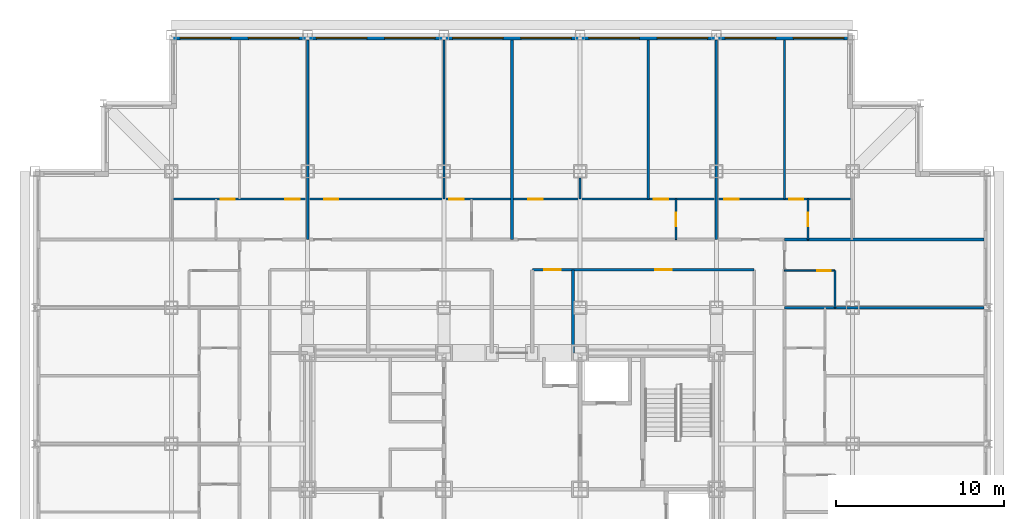
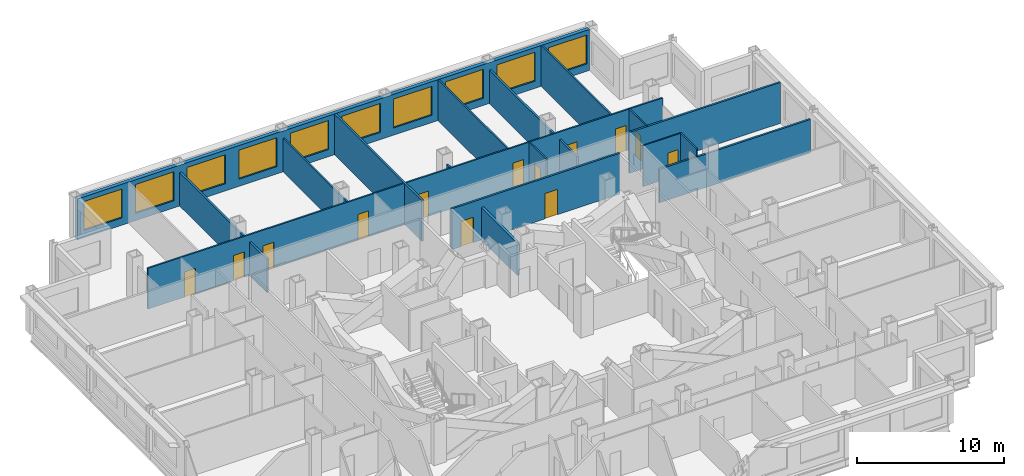
# One storey, part 10 of 12: 17 walls, 13 doors, 10 windows, 23 openings.
"""IFC4 building model written with IfcOpenShell, lengths in metres."""

import ifcopenshell
import ifcopenshell.guid

model = None  # the IFC model being written
_history = None  # IfcOwnerHistory: only IFC2X3 demands one
_inside = {}  # id of a spatial element -> (the spatial element, [elements in it])
_under = {}  # id of a project, library or spatial element -> (it, [spatial elements below it])
_declared = {}  # id of a project -> (the project, [libraries it declares])
_typed = {}  # id of a type object -> (the type object, [elements of that type])
_made_of = {}  # id of a material, layer set ... -> (it, [elements and type objects made of it])


def new_model(schema):
    """Start an empty IFC model of exactly this schema.

    Asked for "IFC4X3", IfcOpenShell would pick the latest addendum, in which some entities
    have other attributes; the version numbers below select the first issue.
    IFC2X3 requires an IfcOwnerHistory on every rooted entity: one is made here for all.
    """
    global model, _history
    if schema == "IFC4X3":
        model = ifcopenshell.file(schema_version=(4, 3, 0, 0))
    else:
        model = ifcopenshell.file(schema=schema)
    _inside.clear()
    _under.clear()
    _declared.clear()
    _typed.clear()
    _made_of.clear()
    _history = None
    if model.schema == "IFC2X3":
        org = make("IfcOrganization", Name="unknown")
        user = make(
            "IfcPersonAndOrganization",
            ThePerson=make("IfcPerson", FamilyName="unknown"),
            TheOrganization=org,
        )
        app = make(
            "IfcApplication",
            ApplicationDeveloper=org,
            Version="unknown",
            ApplicationFullName="unknown",
            ApplicationIdentifier="unknown",
        )
        _history = make(
            "IfcOwnerHistory",
            OwningUser=user,
            OwningApplication=app,
            ChangeAction="ADDED",
            CreationDate=0,
        )
    return model


def make(cls, **values):
    """One entity of the class cls with the attributes given. An attribute that is None is left unset."""
    return model.create_entity(
        cls, **{name: value for name, value in values.items() if value is not None}
    )


def rooted(cls, **values):
    """An entity with a GlobalId (a new one), such as an element, a storey or a relation."""
    return make(cls, GlobalId=ifcopenshell.guid.new(), OwnerHistory=_history, **values)


def si_unit(unit_type, name, prefix=None):
    """IfcSIUnit, for example si_unit("LENGTHUNIT", "METRE", prefix="MILLI")."""
    return make("IfcSIUnit", UnitType=unit_type, Prefix=prefix, Name=name)


def assignment(units):
    """IfcUnitAssignment: the units of a project."""
    return None if units is None else make("IfcUnitAssignment", Units=units)


def point(xyz):
    """IfcCartesianPoint."""
    return None if xyz is None else make("IfcCartesianPoint", Coordinates=xyz)


def direction(xyz):
    """IfcDirection."""
    return None if xyz is None else make("IfcDirection", DirectionRatios=xyz)


def frame(location, z_axis=None, x_axis=None):
    """IfcAxis2Placement3D, a coordinate frame: its origin and axes. An axis left out is left unset."""
    return make(
        "IfcAxis2Placement3D",
        Location=point(location),
        Axis=direction(z_axis),
        RefDirection=direction(x_axis),
    )


def frame_2d(location, x_axis=None):
    """IfcAxis2Placement2D, a coordinate frame in the plane: its origin and x axis."""
    return make(
        "IfcAxis2Placement2D", Location=point(location), RefDirection=direction(x_axis)
    )


def origin():
    """The frame at (0, 0, 0) with its axes left unset."""
    return frame((0.0, 0.0, 0.0))


def place(relative_to, where):
    """IfcLocalPlacement: puts the frame where relative to a parent placement (None: the world)."""
    return make(
        "IfcLocalPlacement", PlacementRelTo=relative_to, RelativePlacement=where
    )


def context(
    kind, dimensions, precision=None, world=None, true_north=None, identifier=None
):
    """IfcGeometricRepresentationContext, for example the 3D "Model" context."""
    return make(
        "IfcGeometricRepresentationContext",
        ContextIdentifier=identifier,
        ContextType=kind,
        CoordinateSpaceDimension=dimensions,
        Precision=precision,
        WorldCoordinateSystem=world,
        TrueNorth=true_north,
    )


def subcontext(parent, identifier, kind, view, scale=None):
    """IfcGeometricRepresentationSubContext, for example "Body" below "Model"."""
    return make(
        "IfcGeometricRepresentationSubContext",
        ContextIdentifier=identifier,
        ContextType=kind,
        ParentContext=parent,
        TargetScale=scale,
        TargetView=view,
    )


def project(units=None, contexts=None):
    """IfcProject with its units and contexts."""
    return rooted(
        "IfcProject",
        Name="project",
        RepresentationContexts=contexts,
        UnitsInContext=assignment(units),
    )


def spatial(cls, under=None, at=None, **own):
    """A site, building, storey or space (cls), placed at a placement, below another one or the project."""
    s = rooted(cls, ObjectPlacement=at, **own)
    if under is not None:
        _under.setdefault(under.id(), (under, []))[1].append(s)
    return s


def profile(cls, at=None, kind="AREA", **sizes):
    """A parametric profile (cls). Its sizes go by their IFC names, for example OverallWidth=200.0."""
    return make(cls, ProfileType=kind, Position=at, **sizes)


def rectangle(**sizes):
    """IfcRectangleProfileDef."""
    return profile("IfcRectangleProfileDef", **sizes)


def extrude(swept, where, along, depth):
    """IfcExtrudedAreaSolid: the profile swept, set in the frame where, extruded along a direction by depth."""
    return make(
        "IfcExtrudedAreaSolid",
        SweptArea=swept,
        Position=where,
        ExtrudedDirection=direction(along),
        Depth=depth,
    )


def shape(context_of_items, identifier, shape_type, items):
    """IfcShapeRepresentation: the items that make up one representation, for example the "Body"."""
    return make(
        "IfcShapeRepresentation",
        ContextOfItems=context_of_items,
        RepresentationIdentifier=identifier,
        RepresentationType=shape_type,
        Items=items,
    )


def material(Name=None, Category=None):
    """IfcMaterial."""
    return make("IfcMaterial", Name=Name, Category=Category)


def layer(
    of_material, thickness, ventilated=None, Name=None, Category=None, Priority=None
):
    """IfcMaterialLayer: one layer of a wall or slab, of a material (None: an air gap)."""
    return make(
        "IfcMaterialLayer",
        Material=of_material,
        LayerThickness=thickness,
        IsVentilated=ventilated,
        Name=Name,
        Category=Category,
        Priority=Priority,
    )


def layer_set(layers, Name=None):
    """IfcMaterialLayerSet."""
    return make("IfcMaterialLayerSet", MaterialLayers=layers, LayerSetName=Name)


def made_of(thing, what):
    """Note that an element or type object is made of a material, layer set ...; save() writes the relation."""
    if what is not None:
        _made_of.setdefault(what.id(), (what, []))[1].append(thing)
    return thing


def type_object(cls, material=None, **own):
    """A type object (cls), such as IfcWallType, which elements share."""
    return made_of(rooted(cls, **own), material)


def element(
    cls,
    number,
    at=None,
    inside=None,
    cuts=None,
    type_object=None,
    material=None,
    context=None,
    identifier="Body",
    shape_type=None,
    held_by="IfcProductDefinitionShape",
    body=None,
    shapes=None,
    **own,
):
    """One element of the class cls, such as IfcWall. Its Tag is "e" and its number.

    at: its placement. inside: the storey or other place that contains it. cuts: it is an
    opening in that element (IfcRelVoidsElement). A single representation is given by context,
    identifier, shape_type and body (its items); several are given by shapes. held_by: the class
    of the entity that holds the representations. save() writes the other relations.
    """
    e = rooted(cls, Tag="e%d" % number, ObjectPlacement=at, **own)
    if body is not None:
        shapes = [shape(context, identifier, shape_type, body)]
    if shapes is not None:
        e.Representation = make(held_by, Representations=shapes)
    if inside is not None:
        _inside.setdefault(inside.id(), (inside, []))[1].append(e)
    if cuts is not None:
        rooted(
            "IfcRelVoidsElement", RelatingBuildingElement=cuts, RelatedOpeningElement=e
        )
    if type_object is not None:
        _typed.setdefault(type_object.id(), (type_object, []))[1].append(e)
    return made_of(e, material)


def fill(opening, filler):
    """IfcRelFillsElement: the door or window that sits in an opening."""
    return rooted(
        "IfcRelFillsElement",
        RelatingOpeningElement=opening,
        RelatedBuildingElement=filler,
    )


def aggregate(whole, parts):
    """IfcRelAggregates: a whole, such as a stair, and the parts it consists of."""
    return rooted("IfcRelAggregates", RelatingObject=whole, RelatedObjects=parts)


def save(model, path):
    """Write the relations noted so far, then the file.

    IfcRelAggregates (storeys below a building ...), IfcRelContainedInSpatialStructure (elements
    in a storey), IfcRelDefinesByType, IfcRelAssociatesMaterial and IfcRelDeclares: one each for
    every whole, place, type object, material and project.
    """
    for whole, parts in _under.values():
        aggregate(whole, parts)
    for where, things in _inside.values():
        rooted(
            "IfcRelContainedInSpatialStructure",
            RelatedElements=things,
            RelatingStructure=where,
        )
    for kind, things in _typed.values():
        rooted("IfcRelDefinesByType", RelatedObjects=things, RelatingType=kind)
    for what, things in _made_of.values():
        rooted("IfcRelAssociatesMaterial", RelatedObjects=things, RelatingMaterial=what)
    for by, libraries in _declared.values():
        rooted("IfcRelDeclares", RelatingContext=by, RelatedDefinitions=libraries)
    model.write(path)


model = new_model("IFC4")

# Units and contexts
model_context = context("Model", 3, precision=1e-05, world=origin(), true_north=direction((0.0, 1.0)))
body_context = subcontext(model_context, "Body", "Model", "MODEL_VIEW")
ifc_project = project(units=[si_unit("LENGTHUNIT", "METRE"), si_unit("AREAUNIT", "SQUARE_METRE"), si_unit("VOLUMEUNIT", "CUBIC_METRE"), si_unit("PLANEANGLEUNIT", "RADIAN"), si_unit("MASSUNIT", "GRAM", prefix="KILO")], contexts=[model_context])

# Site, building, storey
site_placement = place(None, origin())
site = spatial("IfcSite", under=ifc_project, at=site_placement, CompositionType="ELEMENT")
building_placement = place(site_placement, origin())
building = spatial("IfcBuilding", under=site, at=building_placement, Name="Kopane Lantern Tower", CompositionType="ELEMENT")
storey_placement = place(building_placement, frame((0.0, 0.0, 188.39990234375)))
storey = spatial("IfcBuildingStorey", under=building, at=storey_placement, Name="L48", CompositionType="ELEMENT", Elevation=188.39990234375)

# Walls
ifc_material_1 = material(Name="Gypsum board on steel studs", Category="steel")
ifc_layer_1 = layer(ifc_material_1, 0.1201171875)
ifc_layer_set_1 = layer_set([ifc_layer_1], Name="APARTMENT INTERNAL WALL 120")
wall_type_1 = type_object("IfcWallType", Name="APARTMENT INTERNAL WALL 120", PredefinedType="PARTITIONING", material=ifc_layer_set_1)
wall_1_placement = place(storey_placement, frame((24.300048828125, 49.64990234375, 0.0), z_axis=(0.0, 0.0, 1.0), x_axis=(0.0, 1.0, 0.0)))
element("IfcWall", 1, at=wall_1_placement, inside=storey, type_object=wall_type_1, Name="Apartment Internal Wall 120 L48", PredefinedType="PARTITIONING", context=body_context, shape_type="SweptSolid", body=[
    extrude(rectangle(XDim=9.4501953125, YDim=0.1201171875, at=frame_2d((4.72509765625, 0.0))), origin(), (0.0, 0.0, 1.0), 2.77783203125),
])
for number, where, z_axis, x_axis, name in (
    (2, (36.449951171875, 49.64990234375, 0.0), (0.0, 0.0, 1.0), (0.0, 1.0, 0.0), "Apartment Internal Wall 120 L48"),
    (3, (44.550048828125, 49.64990234375, 0.0), (0.0, 0.0, 1.0), (0.0, 1.0, 0.0), "Apartment Internal Wall 120 L48"),
):
    element("IfcWall", number, at=place(storey_placement, frame(where, z_axis=z_axis, x_axis=x_axis)), inside=storey, type_object=wall_type_1, Name=name, PredefinedType="PARTITIONING", context=body_context, shape_type="SweptSolid", body=[
        extrude(rectangle(XDim=9.4501953125, YDim=0.1201171875, at=frame_2d((4.72509765625, 0.0))), origin(), (0.0, 0.0, 1.0), 3.39013671875),
    ])

# Wall, openings, doors
wall_2_placement = place(storey_placement, frame((8.14990234375, 49.64990234375, 0.0), z_axis=(0.0, 0.0, 1.0), x_axis=(1.0, 0.0, 0.0)))
wall_2 = element("IfcWall", 4, at=wall_2_placement, inside=storey, type_object=wall_type_1, Name="Apartment Internal Wall 120 L48", PredefinedType="PARTITIONING", context=body_context, shape_type="SweptSolid", body=[
    extrude(rectangle(XDim=40.400146484375, YDim=0.1201171875, at=frame_2d((20.2001953125, 0.0))), origin(), (0.0, 0.0, 1.0), 3.39013671875),
])
opening_1_placement = place(wall_2_placement, frame((9.02490234375, 0.0, 0.0)))
opening_1 = element("IfcOpeningElement", 5, at=opening_1_placement, cuts=wall_2, Name="Opening L48-026", PredefinedType="OPENING", context=body_context, shape_type="SweptSolid", body=[
    extrude(rectangle(XDim=0.85009765625, YDim=2.10009765625, at=frame_2d((0.425048828125, 1.050048828125))), frame((0.0, 0.070068359375, 0.0), z_axis=(0.0, -1.0, 0.0), x_axis=(1.0, 0.0, 0.0)), (0.0, 0.0, 1.0), 0.14013671875),
])
opening_2_placement = place(wall_2_placement, frame((16.47509765625, 0.0, 0.0)))
opening_2 = element("IfcOpeningElement", 6, at=opening_2_placement, cuts=wall_2, Name="Opening L48-027", PredefinedType="OPENING", context=body_context, shape_type="SweptSolid", body=[
    extrude(rectangle(XDim=0.85009765625, YDim=2.10009765625, at=frame_2d((0.425048828125, 1.050048828125))), frame((0.0, 0.070068359375, 0.0), z_axis=(0.0, -1.0, 0.0), x_axis=(1.0, 0.0, 0.0)), (0.0, 0.0, 1.0), 0.14013671875),
])
opening_3_placement = place(wall_2_placement, frame((21.175048828125, 0.0, 0.0)))
opening_3 = element("IfcOpeningElement", 7, at=opening_3_placement, cuts=wall_2, Name="Opening L48-030", PredefinedType="OPENING", context=body_context, shape_type="SweptSolid", body=[
    extrude(rectangle(XDim=0.85009765625, YDim=2.10009765625, at=frame_2d((0.425048828125, 1.050048828125))), frame((0.0, 0.070068359375, 0.0), z_axis=(0.0, -1.0, 0.0), x_axis=(1.0, 0.0, 0.0)), (0.0, 0.0, 1.0), 0.14013671875),
])
opening_4_placement = place(wall_2_placement, frame((28.625, 0.0, 0.0)))
opening_4 = element("IfcOpeningElement", 8, at=opening_4_placement, cuts=wall_2, Name="Opening L48-031", PredefinedType="OPENING", context=body_context, shape_type="SweptSolid", body=[
    extrude(rectangle(XDim=0.85009765625, YDim=2.10009765625, at=frame_2d((0.425048828125, 1.050048828125))), frame((0.0, 0.070068359375, 0.0), z_axis=(0.0, -1.0, 0.0), x_axis=(1.0, 0.0, 0.0)), (0.0, 0.0, 1.0), 0.14013671875),
])
opening_5_placement = place(wall_2_placement, frame((32.824951171875, 0.0, 0.0)))
opening_5 = element("IfcOpeningElement", 9, at=opening_5_placement, cuts=wall_2, Name="Opening L48-069", PredefinedType="OPENING", context=body_context, shape_type="SweptSolid", body=[
    extrude(rectangle(XDim=0.85009765625, YDim=2.10009765625, at=frame_2d((0.425048828125, 1.050048828125))), frame((0.0, 0.070068359375, 0.0), z_axis=(0.0, -1.0, 0.0), x_axis=(1.0, 0.0, 0.0)), (0.0, 0.0, 1.0), 0.14013671875),
])
opening_6_placement = place(wall_2_placement, frame((36.675048828125, 0.0, 0.0)))
opening_6 = element("IfcOpeningElement", 10, at=opening_6_placement, cuts=wall_2, Name="Opening L48-071", PredefinedType="OPENING", context=body_context, shape_type="SweptSolid", body=[
    extrude(rectangle(XDim=0.85009765625, YDim=2.10009765625, at=frame_2d((0.425048828125, 1.050048828125))), frame((0.0, 0.070068359375, 0.0), z_axis=(0.0, -1.0, 0.0), x_axis=(1.0, 0.0, 0.0)), (0.0, 0.0, 1.0), 0.14013671875),
])
opening_7_placement = place(wall_2_placement, frame((6.72509765625, 0.0, 0.0)))
opening_7 = element("IfcOpeningElement", 11, at=opening_7_placement, cuts=wall_2, Name="Opening L48-073", PredefinedType="OPENING", context=body_context, shape_type="SweptSolid", body=[
    extrude(rectangle(XDim=0.85009765625, YDim=2.10009765625, at=frame_2d((0.425048828125, 1.050048828125))), frame((0.0, 0.070068359375, 0.0), z_axis=(0.0, -1.0, 0.0), x_axis=(1.0, 0.0, 0.0)), (0.0, 0.0, 1.0), 0.14013671875),
])
opening_8_placement = place(wall_2_placement, frame((2.875, 0.0, 0.0)))
opening_8 = element("IfcOpeningElement", 12, at=opening_8_placement, cuts=wall_2, Name="Opening L48-075", PredefinedType="OPENING", context=body_context, shape_type="SweptSolid", body=[
    extrude(rectangle(XDim=0.85009765625, YDim=2.10009765625, at=frame_2d((0.425048828125, 1.050048828125))), frame((0.0, 0.070068359375, 0.0), z_axis=(0.0, -1.0, 0.0), x_axis=(1.0, 0.0, 0.0)), (0.0, 0.0, 1.0), 0.14013671875),
])
ifc_material_2 = material(Name="Timber door set", Category="wood")
door_type_1 = type_object("IfcDoorType", Name="DOOR D4 850x2100", OperationType="SINGLE_SWING_LEFT", PredefinedType="DOOR", material=ifc_material_2)
door_1_placement = place(opening_1_placement, origin())
door_1 = element("IfcDoor", 13, at=door_1_placement, inside=storey, type_object=door_type_1, Name="Door L48-026", OperationType="SINGLE_SWING_LEFT", OverallHeight=2.10009765625, OverallWidth=0.85009765625, PredefinedType="DOOR", context=body_context, shape_type="SweptSolid", body=[
    extrude(rectangle(XDim=0.85009765625, YDim=2.10009765625, at=frame_2d((0.425048828125, 1.050048828125))), frame((0.0, 0.02490234375, 0.0), z_axis=(0.0, -1.0, 0.0), x_axis=(1.0, 0.0, 0.0)), (0.0, 0.0, 1.0), 0.050048828125),
])
fill(opening_1, door_1)
door_2_placement = place(opening_2_placement, origin())
door_2 = element("IfcDoor", 14, at=door_2_placement, inside=storey, type_object=door_type_1, Name="Door L48-027", OperationType="SINGLE_SWING_LEFT", OverallHeight=2.10009765625, OverallWidth=0.85009765625, PredefinedType="DOOR", context=body_context, shape_type="SweptSolid", body=[
    extrude(rectangle(XDim=0.85009765625, YDim=2.10009765625, at=frame_2d((0.425048828125, 1.050048828125))), frame((0.0, 0.02490234375, 0.0), z_axis=(0.0, -1.0, 0.0), x_axis=(1.0, 0.0, 0.0)), (0.0, 0.0, 1.0), 0.050048828125),
])
fill(opening_2, door_2)
door_3_placement = place(opening_3_placement, origin())
door_3 = element("IfcDoor", 15, at=door_3_placement, inside=storey, type_object=door_type_1, Name="Door L48-030", OperationType="SINGLE_SWING_RIGHT", OverallHeight=2.10009765625, OverallWidth=0.85009765625, PredefinedType="DOOR", context=body_context, shape_type="SweptSolid", body=[
    extrude(rectangle(XDim=0.85009765625, YDim=2.10009765625, at=frame_2d((0.425048828125, 1.050048828125))), frame((0.0, 0.02490234375, 0.0), z_axis=(0.0, -1.0, 0.0), x_axis=(1.0, 0.0, 0.0)), (0.0, 0.0, 1.0), 0.050048828125),
])
fill(opening_3, door_3)
door_4_placement = place(opening_4_placement, origin())
door_4 = element("IfcDoor", 16, at=door_4_placement, inside=storey, type_object=door_type_1, Name="Door L48-031", OperationType="SINGLE_SWING_LEFT", OverallHeight=2.10009765625, OverallWidth=0.85009765625, PredefinedType="DOOR", context=body_context, shape_type="SweptSolid", body=[
    extrude(rectangle(XDim=0.85009765625, YDim=2.10009765625, at=frame_2d((0.425048828125, 1.050048828125))), frame((0.0, 0.02490234375, 0.0), z_axis=(0.0, -1.0, 0.0), x_axis=(1.0, 0.0, 0.0)), (0.0, 0.0, 1.0), 0.050048828125),
])
fill(opening_4, door_4)
door_5_placement = place(opening_5_placement, origin())
door_5 = element("IfcDoor", 17, at=door_5_placement, inside=storey, type_object=door_type_1, Name="Door L48-069", OperationType="SINGLE_SWING_RIGHT", OverallHeight=2.10009765625, OverallWidth=0.85009765625, PredefinedType="DOOR", context=body_context, shape_type="SweptSolid", body=[
    extrude(rectangle(XDim=0.85009765625, YDim=2.10009765625, at=frame_2d((0.425048828125, 1.050048828125))), frame((0.0, 0.02490234375, 0.0), z_axis=(0.0, -1.0, 0.0), x_axis=(1.0, 0.0, 0.0)), (0.0, 0.0, 1.0), 0.050048828125),
])
fill(opening_5, door_5)
door_6_placement = place(opening_6_placement, origin())
door_6 = element("IfcDoor", 18, at=door_6_placement, inside=storey, type_object=door_type_1, Name="Door L48-071", OperationType="SINGLE_SWING_LEFT", OverallHeight=2.10009765625, OverallWidth=0.85009765625, PredefinedType="DOOR", context=body_context, shape_type="SweptSolid", body=[
    extrude(rectangle(XDim=0.85009765625, YDim=2.10009765625, at=frame_2d((0.425048828125, 1.050048828125))), frame((0.0, 0.02490234375, 0.0), z_axis=(0.0, -1.0, 0.0), x_axis=(1.0, 0.0, 0.0)), (0.0, 0.0, 1.0), 0.050048828125),
])
fill(opening_6, door_6)
door_7_placement = place(opening_7_placement, origin())
door_7 = element("IfcDoor", 19, at=door_7_placement, inside=storey, type_object=door_type_1, Name="Door L48-073", OperationType="SINGLE_SWING_LEFT", OverallHeight=2.10009765625, OverallWidth=0.85009765625, PredefinedType="DOOR", context=body_context, shape_type="SweptSolid", body=[
    extrude(rectangle(XDim=0.85009765625, YDim=2.10009765625, at=frame_2d((0.425048828125, 1.050048828125))), frame((0.0, 0.02490234375, 0.0), z_axis=(0.0, -1.0, 0.0), x_axis=(1.0, 0.0, 0.0)), (0.0, 0.0, 1.0), 0.050048828125),
])
fill(opening_7, door_7)
door_8_placement = place(opening_8_placement, origin())
door_8 = element("IfcDoor", 20, at=door_8_placement, inside=storey, type_object=door_type_1, Name="Door L48-075", OperationType="SINGLE_SWING_RIGHT", OverallHeight=2.10009765625, OverallWidth=0.85009765625, PredefinedType="DOOR", context=body_context, shape_type="SweptSolid", body=[
    extrude(rectangle(XDim=0.85009765625, YDim=2.10009765625, at=frame_2d((0.425048828125, 1.050048828125))), frame((0.0, 0.02490234375, 0.0), z_axis=(0.0, -1.0, 0.0), x_axis=(1.0, 0.0, 0.0)), (0.0, 0.0, 1.0), 0.050048828125),
])
fill(opening_8, door_8)

# Wall
wall_3_placement = place(storey_placement, frame((32.39990234375, 49.64990234375, 0.0), z_axis=(0.0, 0.0, 1.0), x_axis=(0.0, 1.0, 0.0)))
element("IfcWall", 21, at=wall_3_placement, inside=storey, type_object=wall_type_1, Name="Apartment Internal Wall 120 L48", PredefinedType="PARTITIONING", context=body_context, shape_type="SweptSolid", body=[
    extrude(rectangle(XDim=1.25, YDim=0.1201171875, at=frame_2d((0.625, 0.0))), origin(), (0.0, 0.0, 1.0), 2.77783203125),
])

# Wall, opening, door
ifc_material_3 = material(Name="Moisture-resistant board on steel studs", Category="steel")
ifc_layer_2 = layer(ifc_material_3, 0.10009765625)
ifc_layer_set_2 = layer_set([ifc_layer_2], Name="BATHROOM WALL 100")
wall_type_2 = type_object("IfcWallType", Name="BATHROOM WALL 100", PredefinedType="PARTITIONING", material=ifc_layer_set_2)
wall_4_placement = place(storey_placement, frame((38.10009765625, 47.25, 0.0), z_axis=(0.0, 0.0, 1.0), x_axis=(0.0, 1.0, 0.0)))
wall_4 = element("IfcWall", 22, at=wall_4_placement, inside=storey, type_object=wall_type_2, Name="Bathroom Wall 100 L48", PredefinedType="PARTITIONING", context=body_context, shape_type="SweptSolid", body=[
    extrude(rectangle(XDim=2.39990234375, YDim=0.10009765625, at=frame_2d((1.199951171875, 0.0))), origin(), (0.0, 0.0, 1.0), 3.39013671875),
])
opening_9_placement = place(wall_4_placement, frame((0.800048828125, 0.0, 0.0)))
opening_9 = element("IfcOpeningElement", 23, at=opening_9_placement, cuts=wall_4, Name="Opening L48-028", PredefinedType="OPENING", context=body_context, shape_type="SweptSolid", body=[
    extrude(rectangle(XDim=0.800048828125, YDim=2.10009765625, at=frame_2d((0.39990234375, 1.050048828125))), frame((0.0, 0.06005859375, 0.0), z_axis=(0.0, -1.0, 0.0), x_axis=(1.0, 0.0, 0.0)), (0.0, 0.0, 1.0), 0.1201171875),
])
ifc_material_4 = material(Name="Timber door set", Category="wood")
door_type_2 = type_object("IfcDoorType", Name="DOOR D2 800x2100", OperationType="SINGLE_SWING_LEFT", PredefinedType="DOOR", material=ifc_material_4)
door_9_placement = place(opening_9_placement, origin())
door_9 = element("IfcDoor", 24, at=door_9_placement, inside=storey, type_object=door_type_2, Name="Door L48-028", OperationType="SINGLE_SWING_RIGHT", OverallHeight=2.10009765625, OverallWidth=0.800048828125, PredefinedType="DOOR", context=body_context, shape_type="SweptSolid", body=[
    extrude(rectangle(XDim=0.800048828125, YDim=2.10009765625, at=frame_2d((0.39990234375, 1.050048828125))), frame((0.0, 0.02490234375, 0.0), z_axis=(0.0, -1.0, 0.0), x_axis=(1.0, 0.0, 0.0)), (0.0, 0.0, 1.0), 0.050048828125),
])
fill(opening_9, door_9)

# Wall
wall_5_placement = place(storey_placement, frame((47.550048828125, 43.199951171875, 0.0), z_axis=(0.0, 0.0, 1.0), x_axis=(0.0, 1.0, 0.0)))
element("IfcWall", 25, at=wall_5_placement, inside=storey, type_object=wall_type_2, Name="Bathroom Wall 100 L48", PredefinedType="PARTITIONING", context=body_context, shape_type="SweptSolid", body=[
    extrude(rectangle(XDim=2.199951171875, YDim=0.10009765625, at=frame_2d((1.10009765625, 0.0))), origin(), (0.0, 0.0, 1.0), 3.39013671875),
])

# Wall, opening, door
wall_6_placement = place(storey_placement, frame((44.550048828125, 45.39990234375, 0.0), z_axis=(0.0, 0.0, 1.0), x_axis=(1.0, 0.0, 0.0)))
wall_6 = element("IfcWall", 26, at=wall_6_placement, inside=storey, type_object=wall_type_2, Name="Bathroom Wall 100 L48", PredefinedType="PARTITIONING", context=body_context, shape_type="SweptSolid", body=[
    extrude(rectangle(XDim=3.0, YDim=0.10009765625, at=frame_2d((1.5, 0.0))), origin(), (0.0, 0.0, 1.0), 3.39013671875),
])
opening_10_placement = place(wall_6_placement, frame((1.949951171875, 0.0, 0.0)))
opening_10 = element("IfcOpeningElement", 27, at=opening_10_placement, cuts=wall_6, Name="Opening L48-058", PredefinedType="OPENING", context=body_context, shape_type="SweptSolid", body=[
    extrude(rectangle(XDim=0.800048828125, YDim=2.10009765625, at=frame_2d((0.39990234375, 1.050048828125))), frame((0.0, 0.06005859375, 0.0), z_axis=(0.0, -1.0, 0.0), x_axis=(1.0, 0.0, 0.0)), (0.0, 0.0, 1.0), 0.1201171875),
])
door_10_placement = place(opening_10_placement, origin())
door_10 = element("IfcDoor", 28, at=door_10_placement, inside=storey, type_object=door_type_2, Name="Door L48-058", OperationType="SINGLE_SWING_LEFT", OverallHeight=2.10009765625, OverallWidth=0.800048828125, PredefinedType="DOOR", context=body_context, shape_type="SweptSolid", body=[
    extrude(rectangle(XDim=0.800048828125, YDim=2.10009765625, at=frame_2d((0.39990234375, 1.050048828125))), frame((0.0, 0.02490234375, 0.0), z_axis=(0.0, -1.0, 0.0), x_axis=(1.0, 0.0, 0.0)), (0.0, 0.0, 1.0), 0.050048828125),
])
fill(opening_10, door_10)

wall_7_placement = place(storey_placement, frame((45.949951171875, 47.25, 0.0), z_axis=(0.0, 0.0, 1.0), x_axis=(0.0, 1.0, 0.0)))
wall_7 = element("IfcWall", 29, at=wall_7_placement, inside=storey, type_object=wall_type_2, Name="Bathroom Wall 100 L48", PredefinedType="PARTITIONING", context=body_context, shape_type="SweptSolid", body=[
    extrude(rectangle(XDim=2.39990234375, YDim=0.10009765625, at=frame_2d((1.199951171875, 0.0))), origin(), (0.0, 0.0, 1.0), 3.39013671875),
])
opening_11_placement = place(wall_7_placement, frame((0.800048828125, 0.0, 0.0)))
opening_11 = element("IfcOpeningElement", 30, at=opening_11_placement, cuts=wall_7, Name="Opening L48-070", PredefinedType="OPENING", context=body_context, shape_type="SweptSolid", body=[
    extrude(rectangle(XDim=0.800048828125, YDim=2.10009765625, at=frame_2d((0.39990234375, 1.050048828125))), frame((0.0, 0.06005859375, 0.0), z_axis=(0.0, -1.0, 0.0), x_axis=(1.0, 0.0, 0.0)), (0.0, 0.0, 1.0), 0.1201171875),
])
door_11_placement = place(opening_11_placement, origin())
door_11 = element("IfcDoor", 31, at=door_11_placement, inside=storey, type_object=door_type_2, Name="Door L48-070", OperationType="SINGLE_SWING_RIGHT", OverallHeight=2.10009765625, OverallWidth=0.800048828125, PredefinedType="DOOR", context=body_context, shape_type="SweptSolid", body=[
    extrude(rectangle(XDim=0.800048828125, YDim=2.10009765625, at=frame_2d((0.39990234375, 1.050048828125))), frame((0.0, 0.02490234375, 0.0), z_axis=(0.0, -1.0, 0.0), x_axis=(1.0, 0.0, 0.0)), (0.0, 0.0, 1.0), 0.050048828125),
])
fill(opening_11, door_11)

# Wall, openings, doors
ifc_material_5 = material(Name="Gypsum board on steel studs", Category="steel")
ifc_layer_3 = layer(ifc_material_5, 0.14990234375)
ifc_layer_set_3 = layer_set([ifc_layer_3], Name="CORRIDOR WALL 150 EI 60")
wall_type_3 = type_object("IfcWallType", Name="CORRIDOR WALL 150 EI 60", PredefinedType="PARTITIONING", material=ifc_layer_set_3)
wall_8_placement = place(storey_placement, frame((42.75, 45.449951171875, 0.0), z_axis=(0.0, 0.0, 1.0), x_axis=(-1.0, 0.0, 0.0)))
wall_8 = element("IfcWall", 32, at=wall_8_placement, inside=storey, type_object=wall_type_3, Name="Corridor Wall 150 Ei 60 L48", PredefinedType="PARTITIONING", context=body_context, shape_type="SweptSolid", body=[
    extrude(rectangle(XDim=13.18994140625, YDim=0.14990234375, at=frame_2d((6.594970703125, 0.0))), origin(), (0.0, 0.0, 1.0), 3.39013671875),
])
opening_12_placement = place(wall_8_placement, frame((11.48779296875, 0.0, 0.0)))
opening_12 = element("IfcOpeningElement", 33, at=opening_12_placement, cuts=wall_8, Name="Opening L48-010", PredefinedType="OPENING", context=body_context, shape_type="SweptSolid", body=[
    extrude(rectangle(XDim=1.0, YDim=2.10009765625, at=frame_2d((0.5, 1.050048828125))), frame((0.0, 0.0849609375, 0.0), z_axis=(0.0, -1.0, 0.0), x_axis=(1.0, 0.0, 0.0)), (0.0, 0.0, 1.0), 0.169921875),
])
opening_13_placement = place(wall_8_placement, frame((4.887939453125, 0.0, 0.0)))
opening_13 = element("IfcOpeningElement", 34, at=opening_13_placement, cuts=wall_8, Name="Opening L48-011", PredefinedType="OPENING", context=body_context, shape_type="SweptSolid", body=[
    extrude(rectangle(XDim=1.0, YDim=2.10009765625, at=frame_2d((0.5, 1.050048828125))), frame((0.0, 0.0849609375, 0.0), z_axis=(0.0, -1.0, 0.0), x_axis=(1.0, 0.0, 0.0)), (0.0, 0.0, 1.0), 0.169921875),
])
ifc_material_6 = material(Name="Steel door set", Category="steel")
door_type_3 = type_object("IfcDoorType", Name="DOOR D5 1000x2100 FD60", OperationType="SINGLE_SWING_LEFT", PredefinedType="DOOR", material=ifc_material_6)
door_12_placement = place(opening_12_placement, origin())
door_12 = element("IfcDoor", 35, at=door_12_placement, inside=storey, type_object=door_type_3, Name="Door L48-010", OperationType="SINGLE_SWING_RIGHT", OverallHeight=2.10009765625, OverallWidth=1.0, PredefinedType="DOOR", context=body_context, shape_type="SweptSolid", body=[
    extrude(rectangle(XDim=1.0, YDim=2.10009765625, at=frame_2d((0.5, 1.050048828125))), frame((0.0, 0.02490234375, 0.0), z_axis=(0.0, -1.0, 0.0), x_axis=(1.0, 0.0, 0.0)), (0.0, 0.0, 1.0), 0.050048828125),
])
fill(opening_12, door_12)
door_13_placement = place(opening_13_placement, origin())
door_13 = element("IfcDoor", 36, at=door_13_placement, inside=storey, type_object=door_type_3, Name="Door L48-011", OperationType="SINGLE_SWING_LEFT", OverallHeight=2.10009765625, OverallWidth=1.0, PredefinedType="DOOR", context=body_context, shape_type="SweptSolid", body=[
    extrude(rectangle(XDim=1.0, YDim=2.10009765625, at=frame_2d((0.5, 1.050048828125))), frame((0.0, 0.02490234375, 0.0), z_axis=(0.0, -1.0, 0.0), x_axis=(1.0, 0.0, 0.0)), (0.0, 0.0, 1.0), 0.050048828125),
])
fill(opening_13, door_13)

# Walls
ifc_material_7 = material(Name="Gypsum board on steel studs", Category="steel")
ifc_layer_4 = layer(ifc_material_7, 0.14990234375)
ifc_layer_set_4 = layer_set([ifc_layer_4], Name="DEMISING WALL 150 EI 60")
wall_type_4 = type_object("IfcWallType", Name="DEMISING WALL 150 EI 60", PredefinedType="PARTITIONING", material=ifc_layer_set_4)
wall_9_placement = place(storey_placement, frame((28.35009765625, 47.25, 0.0), z_axis=(0.0, 0.0, 1.0), x_axis=(0.0, 1.0, 0.0)))
element("IfcWall", 37, at=wall_9_placement, inside=storey, type_object=wall_type_4, Name="Demising Wall 150 Ei 60 L48", PredefinedType="PARTITIONING", context=body_context, shape_type="SweptSolid", body=[
    extrude(rectangle(XDim=11.85009765625, YDim=0.14990234375, at=frame_2d((5.925048828125, 0.0))), origin(), (0.0, 0.0, 1.0), 3.39013671875),
])
wall_10_placement = place(storey_placement, frame((44.550048828125, 43.199951171875, 0.0), z_axis=(0.0, 0.0, 1.0), x_axis=(1.0, 0.0, 0.0)))
element("IfcWall", 38, at=wall_10_placement, inside=storey, type_object=wall_type_4, Name="Demising Wall 150 Ei 60 L48", PredefinedType="PARTITIONING", context=body_context, shape_type="SweptSolid", body=[
    extrude(rectangle(XDim=11.849853515625, YDim=0.14990234375, at=frame_2d((5.9248046875, 0.0))), origin(), (0.0, 0.0, 1.0), 2.77783203125),
])
wall_11_placement = place(storey_placement, frame((44.550048828125, 47.25, 0.0), z_axis=(0.0, 0.0, 1.0), x_axis=(1.0, 0.0, 0.0)))
element("IfcWall", 39, at=wall_11_placement, inside=storey, type_object=wall_type_4, Name="Demising Wall 150 Ei 60 L48", PredefinedType="PARTITIONING", context=body_context, shape_type="SweptSolid", body=[
    extrude(rectangle(XDim=11.849853515625, YDim=0.14990234375, at=frame_2d((5.9248046875, 0.0))), origin(), (0.0, 0.0, 1.0), 3.39013671875),
])
for number, where, z_axis, x_axis, name in (
    (40, (40.5, 47.25, 0.0), (0.0, 0.0, 1.0), (0.0, 1.0, 0.0), "Demising Wall 150 Ei 60 L48"),
    (41, (16.199951171875, 47.25, 0.0), (0.0, 0.0, 1.0), (0.0, 1.0, 0.0), "Demising Wall 150 Ei 60 L48"),
):
    element("IfcWall", number, at=place(storey_placement, frame(where, z_axis=z_axis, x_axis=x_axis)), inside=storey, type_object=wall_type_4, Name=name, PredefinedType="PARTITIONING", context=body_context, shape_type="SweptSolid", body=[
        extrude(rectangle(XDim=11.85009765625, YDim=0.14990234375, at=frame_2d((5.925048828125, 0.0))), origin(), (0.0, 0.0, 1.0), 2.77783203125),
    ])

# Wall, openings, windows
ifc_material_8 = material(Name="Terracotta rainscreen on light steel framing", Category="masonry")
ifc_layer_5 = layer(ifc_material_8, 0.300048828125)
ifc_layer_set_5 = layer_set([ifc_layer_5], Name="EXTERNAL WALL EW1 300 TERRACOTTA")
wall_type_5 = type_object("IfcWallType", Name="EXTERNAL WALL EW1 300 TERRACOTTA", PredefinedType="SOLIDWALL", material=ifc_layer_set_5)
wall_12_placement = place(storey_placement, frame((48.300048828125, 59.25, 0.0), z_axis=(0.0, 0.0, 1.0), x_axis=(-1.0, 0.0, 0.0)))
wall_12 = element("IfcWall", 42, at=wall_12_placement, inside=storey, type_object=wall_type_5, Name="External wall N L48", PredefinedType="SOLIDWALL", context=body_context, shape_type="SweptSolid", body=[
    extrude(rectangle(XDim=40.199951171875, YDim=0.300048828125, at=frame_2d((20.10009765625, 0.0))), origin(), (0.0, 0.0, 1.0), 3.39013671875),
])
opening_14_placement = place(wall_12_placement, frame((0.22509765625, 0.0, 0.60009765625)))
opening_14 = element("IfcOpeningElement", 43, at=opening_14_placement, cuts=wall_12, Name="Opening WR300240", PredefinedType="OPENING", context=body_context, shape_type="SweptSolid", body=[
    extrude(rectangle(XDim=3.0, YDim=2.39990234375, at=frame_2d((1.5, 1.199951171875))), frame((0.0, 0.159912109375, 0.0), z_axis=(0.0, -1.0, 0.0), x_axis=(1.0, 0.0, 0.0)), (0.0, 0.0, 1.0), 0.320068359375),
])
opening_15_placement = place(wall_12_placement, frame((4.27490234375, 0.0, 0.60009765625)))
opening_15 = element("IfcOpeningElement", 44, at=opening_15_placement, cuts=wall_12, Name="Opening WR300240", PredefinedType="OPENING", context=body_context, shape_type="SweptSolid", body=[
    extrude(rectangle(XDim=3.0, YDim=2.39990234375, at=frame_2d((1.5, 1.199951171875))), frame((0.0, 0.159912109375, 0.0), z_axis=(0.0, -1.0, 0.0), x_axis=(1.0, 0.0, 0.0)), (0.0, 0.0, 1.0), 0.320068359375),
])
opening_16_placement = place(wall_12_placement, frame((8.324951171875, 0.0, 0.60009765625)))
opening_16 = element("IfcOpeningElement", 45, at=opening_16_placement, cuts=wall_12, Name="Opening WR300240", PredefinedType="OPENING", context=body_context, shape_type="SweptSolid", body=[
    extrude(rectangle(XDim=3.0, YDim=2.39990234375, at=frame_2d((1.5, 1.199951171875))), frame((0.0, 0.159912109375, 0.0), z_axis=(0.0, -1.0, 0.0), x_axis=(1.0, 0.0, 0.0)), (0.0, 0.0, 1.0), 0.320068359375),
])
opening_17_placement = place(wall_12_placement, frame((12.375, 0.0, 0.60009765625)))
opening_17 = element("IfcOpeningElement", 46, at=opening_17_placement, cuts=wall_12, Name="Opening WR300240", PredefinedType="OPENING", context=body_context, shape_type="SweptSolid", body=[
    extrude(rectangle(XDim=3.0, YDim=2.39990234375, at=frame_2d((1.5, 1.199951171875))), frame((0.0, 0.159912109375, 0.0), z_axis=(0.0, -1.0, 0.0), x_axis=(1.0, 0.0, 0.0)), (0.0, 0.0, 1.0), 0.320068359375),
])
opening_18_placement = place(wall_12_placement, frame((16.425048828125, 0.0, 0.60009765625)))
opening_18 = element("IfcOpeningElement", 47, at=opening_18_placement, cuts=wall_12, Name="Opening WR300240", PredefinedType="OPENING", context=body_context, shape_type="SweptSolid", body=[
    extrude(rectangle(XDim=3.0, YDim=2.39990234375, at=frame_2d((1.5, 1.199951171875))), frame((0.0, 0.159912109375, 0.0), z_axis=(0.0, -1.0, 0.0), x_axis=(1.0, 0.0, 0.0)), (0.0, 0.0, 1.0), 0.320068359375),
])
opening_19_placement = place(wall_12_placement, frame((20.47509765625, 0.0, 0.60009765625)))
opening_19 = element("IfcOpeningElement", 48, at=opening_19_placement, cuts=wall_12, Name="Opening WR300240", PredefinedType="OPENING", context=body_context, shape_type="SweptSolid", body=[
    extrude(rectangle(XDim=3.0, YDim=2.39990234375, at=frame_2d((1.5, 1.199951171875))), frame((0.0, 0.159912109375, 0.0), z_axis=(0.0, -1.0, 0.0), x_axis=(1.0, 0.0, 0.0)), (0.0, 0.0, 1.0), 0.320068359375),
])
opening_20_placement = place(wall_12_placement, frame((24.52490234375, 0.0, 0.60009765625)))
opening_20 = element("IfcOpeningElement", 49, at=opening_20_placement, cuts=wall_12, Name="Opening WR300240", PredefinedType="OPENING", context=body_context, shape_type="SweptSolid", body=[
    extrude(rectangle(XDim=3.0, YDim=2.39990234375, at=frame_2d((1.5, 1.199951171875))), frame((0.0, 0.159912109375, 0.0), z_axis=(0.0, -1.0, 0.0), x_axis=(1.0, 0.0, 0.0)), (0.0, 0.0, 1.0), 0.320068359375),
])
opening_21_placement = place(wall_12_placement, frame((28.574951171875, 0.0, 0.60009765625)))
opening_21 = element("IfcOpeningElement", 50, at=opening_21_placement, cuts=wall_12, Name="Opening WR300240", PredefinedType="OPENING", context=body_context, shape_type="SweptSolid", body=[
    extrude(rectangle(XDim=3.0, YDim=2.39990234375, at=frame_2d((1.5, 1.199951171875))), frame((0.0, 0.159912109375, 0.0), z_axis=(0.0, -1.0, 0.0), x_axis=(1.0, 0.0, 0.0)), (0.0, 0.0, 1.0), 0.320068359375),
])
opening_22_placement = place(wall_12_placement, frame((32.625, 0.0, 0.60009765625)))
opening_22 = element("IfcOpeningElement", 51, at=opening_22_placement, cuts=wall_12, Name="Opening WR300240", PredefinedType="OPENING", context=body_context, shape_type="SweptSolid", body=[
    extrude(rectangle(XDim=3.0, YDim=2.39990234375, at=frame_2d((1.5, 1.199951171875))), frame((0.0, 0.159912109375, 0.0), z_axis=(0.0, -1.0, 0.0), x_axis=(1.0, 0.0, 0.0)), (0.0, 0.0, 1.0), 0.320068359375),
])
opening_23_placement = place(wall_12_placement, frame((36.675048828125, 0.0, 0.60009765625)))
opening_23 = element("IfcOpeningElement", 52, at=opening_23_placement, cuts=wall_12, Name="Opening WR300240", PredefinedType="OPENING", context=body_context, shape_type="SweptSolid", body=[
    extrude(rectangle(XDim=3.0, YDim=2.39990234375, at=frame_2d((1.5, 1.199951171875))), frame((0.0, 0.159912109375, 0.0), z_axis=(0.0, -1.0, 0.0), x_axis=(1.0, 0.0, 0.0)), (0.0, 0.0, 1.0), 0.320068359375),
])
ifc_material_9 = material(Name="Aluminium and clear glass", Category="aluminium")
window_type = type_object("IfcWindowType", Name="RIBBON WINDOW WR300240 3000x2400", PartitioningType="SINGLE_PANEL", PredefinedType="WINDOW", material=ifc_material_9)
window_1_placement = place(opening_14_placement, origin())
window_1 = element("IfcWindow", 53, at=window_1_placement, inside=storey, type_object=window_type, Name="Window N L48", OverallHeight=2.39990234375, OverallWidth=3.0, PartitioningType="SINGLE_PANEL", PredefinedType="WINDOW", context=body_context, shape_type="SweptSolid", body=[
    extrude(rectangle(XDim=3.0, YDim=2.39990234375, at=frame_2d((1.5, 1.199951171875))), frame((0.0, 0.030029296875, 0.0), z_axis=(0.0, -1.0, 0.0), x_axis=(1.0, 0.0, 0.0)), (0.0, 0.0, 1.0), 0.06005859375),
])
fill(opening_14, window_1)
window_2_placement = place(opening_15_placement, origin())
window_2 = element("IfcWindow", 54, at=window_2_placement, inside=storey, type_object=window_type, Name="Window N L48", OverallHeight=2.39990234375, OverallWidth=3.0, PartitioningType="SINGLE_PANEL", PredefinedType="WINDOW", context=body_context, shape_type="SweptSolid", body=[
    extrude(rectangle(XDim=3.0, YDim=2.39990234375, at=frame_2d((1.5, 1.199951171875))), frame((0.0, 0.030029296875, 0.0), z_axis=(0.0, -1.0, 0.0), x_axis=(1.0, 0.0, 0.0)), (0.0, 0.0, 1.0), 0.06005859375),
])
fill(opening_15, window_2)
window_3_placement = place(opening_16_placement, origin())
window_3 = element("IfcWindow", 55, at=window_3_placement, inside=storey, type_object=window_type, Name="Window N L48", OverallHeight=2.39990234375, OverallWidth=3.0, PartitioningType="SINGLE_PANEL", PredefinedType="WINDOW", context=body_context, shape_type="SweptSolid", body=[
    extrude(rectangle(XDim=3.0, YDim=2.39990234375, at=frame_2d((1.5, 1.199951171875))), frame((0.0, 0.030029296875, 0.0), z_axis=(0.0, -1.0, 0.0), x_axis=(1.0, 0.0, 0.0)), (0.0, 0.0, 1.0), 0.06005859375),
])
fill(opening_16, window_3)
window_4_placement = place(opening_17_placement, origin())
window_4 = element("IfcWindow", 56, at=window_4_placement, inside=storey, type_object=window_type, Name="Window N L48", OverallHeight=2.39990234375, OverallWidth=3.0, PartitioningType="SINGLE_PANEL", PredefinedType="WINDOW", context=body_context, shape_type="SweptSolid", body=[
    extrude(rectangle(XDim=3.0, YDim=2.39990234375, at=frame_2d((1.5, 1.199951171875))), frame((0.0, 0.030029296875, 0.0), z_axis=(0.0, -1.0, 0.0), x_axis=(1.0, 0.0, 0.0)), (0.0, 0.0, 1.0), 0.06005859375),
])
fill(opening_17, window_4)
window_5_placement = place(opening_18_placement, origin())
window_5 = element("IfcWindow", 57, at=window_5_placement, inside=storey, type_object=window_type, Name="Window N L48", OverallHeight=2.39990234375, OverallWidth=3.0, PartitioningType="SINGLE_PANEL", PredefinedType="WINDOW", context=body_context, shape_type="SweptSolid", body=[
    extrude(rectangle(XDim=3.0, YDim=2.39990234375, at=frame_2d((1.5, 1.199951171875))), frame((0.0, 0.030029296875, 0.0), z_axis=(0.0, -1.0, 0.0), x_axis=(1.0, 0.0, 0.0)), (0.0, 0.0, 1.0), 0.06005859375),
])
fill(opening_18, window_5)
window_6_placement = place(opening_19_placement, origin())
window_6 = element("IfcWindow", 58, at=window_6_placement, inside=storey, type_object=window_type, Name="Window N L48", OverallHeight=2.39990234375, OverallWidth=3.0, PartitioningType="SINGLE_PANEL", PredefinedType="WINDOW", context=body_context, shape_type="SweptSolid", body=[
    extrude(rectangle(XDim=3.0, YDim=2.39990234375, at=frame_2d((1.5, 1.199951171875))), frame((0.0, 0.030029296875, 0.0), z_axis=(0.0, -1.0, 0.0), x_axis=(1.0, 0.0, 0.0)), (0.0, 0.0, 1.0), 0.06005859375),
])
fill(opening_19, window_6)
window_7_placement = place(opening_20_placement, origin())
window_7 = element("IfcWindow", 59, at=window_7_placement, inside=storey, type_object=window_type, Name="Window N L48", OverallHeight=2.39990234375, OverallWidth=3.0, PartitioningType="SINGLE_PANEL", PredefinedType="WINDOW", context=body_context, shape_type="SweptSolid", body=[
    extrude(rectangle(XDim=3.0, YDim=2.39990234375, at=frame_2d((1.5, 1.199951171875))), frame((0.0, 0.030029296875, 0.0), z_axis=(0.0, -1.0, 0.0), x_axis=(1.0, 0.0, 0.0)), (0.0, 0.0, 1.0), 0.06005859375),
])
fill(opening_20, window_7)
window_8_placement = place(opening_21_placement, origin())
window_8 = element("IfcWindow", 60, at=window_8_placement, inside=storey, type_object=window_type, Name="Window N L48", OverallHeight=2.39990234375, OverallWidth=3.0, PartitioningType="SINGLE_PANEL", PredefinedType="WINDOW", context=body_context, shape_type="SweptSolid", body=[
    extrude(rectangle(XDim=3.0, YDim=2.39990234375, at=frame_2d((1.5, 1.199951171875))), frame((0.0, 0.030029296875, 0.0), z_axis=(0.0, -1.0, 0.0), x_axis=(1.0, 0.0, 0.0)), (0.0, 0.0, 1.0), 0.06005859375),
])
fill(opening_21, window_8)
window_9_placement = place(opening_22_placement, origin())
window_9 = element("IfcWindow", 61, at=window_9_placement, inside=storey, type_object=window_type, Name="Window N L48", OverallHeight=2.39990234375, OverallWidth=3.0, PartitioningType="SINGLE_PANEL", PredefinedType="WINDOW", context=body_context, shape_type="SweptSolid", body=[
    extrude(rectangle(XDim=3.0, YDim=2.39990234375, at=frame_2d((1.5, 1.199951171875))), frame((0.0, 0.030029296875, 0.0), z_axis=(0.0, -1.0, 0.0), x_axis=(1.0, 0.0, 0.0)), (0.0, 0.0, 1.0), 0.06005859375),
])
fill(opening_22, window_9)
window_10_placement = place(opening_23_placement, origin())
window_10 = element("IfcWindow", 62, at=window_10_placement, inside=storey, type_object=window_type, Name="Window N L48", OverallHeight=2.39990234375, OverallWidth=3.0, PartitioningType="SINGLE_PANEL", PredefinedType="WINDOW", context=body_context, shape_type="SweptSolid", body=[
    extrude(rectangle(XDim=3.0, YDim=2.39990234375, at=frame_2d((1.5, 1.199951171875))), frame((0.0, 0.030029296875, 0.0), z_axis=(0.0, -1.0, 0.0), x_axis=(1.0, 0.0, 0.0)), (0.0, 0.0, 1.0), 0.06005859375),
])
fill(opening_23, window_10)

# Wall
ifc_material_10 = material(Name="Concrete masonry", Category="masonry")
ifc_layer_6 = layer(ifc_material_10, 0.199951171875)
ifc_layer_set_6 = layer_set([ifc_layer_6], Name="PLANT ROOM WALL 200 EI 120")
wall_type_6 = type_object("IfcWallType", Name="PLANT ROOM WALL 200 EI 120", PredefinedType="SOLIDWALL", material=ifc_layer_set_6)
wall_13_placement = place(storey_placement, frame((31.97412109375, 45.449951171875, 0.0), z_axis=(0.0, 0.0, 1.0), x_axis=(0.0, -1.0, 0.0)))
element("IfcWall", 63, at=wall_13_placement, inside=storey, type_object=wall_type_6, Name="Plant Room Wall 200 Ei 120 L48", PredefinedType="SOLIDWALL", context=body_context, shape_type="SweptSolid", body=[
    extrude(rectangle(XDim=4.949951171875, YDim=0.199951171875, at=frame_2d((2.47509765625, 0.0))), origin(), (0.0, 0.0, 1.0), 2.690185546875),
])

save(model, "model.ifc")
